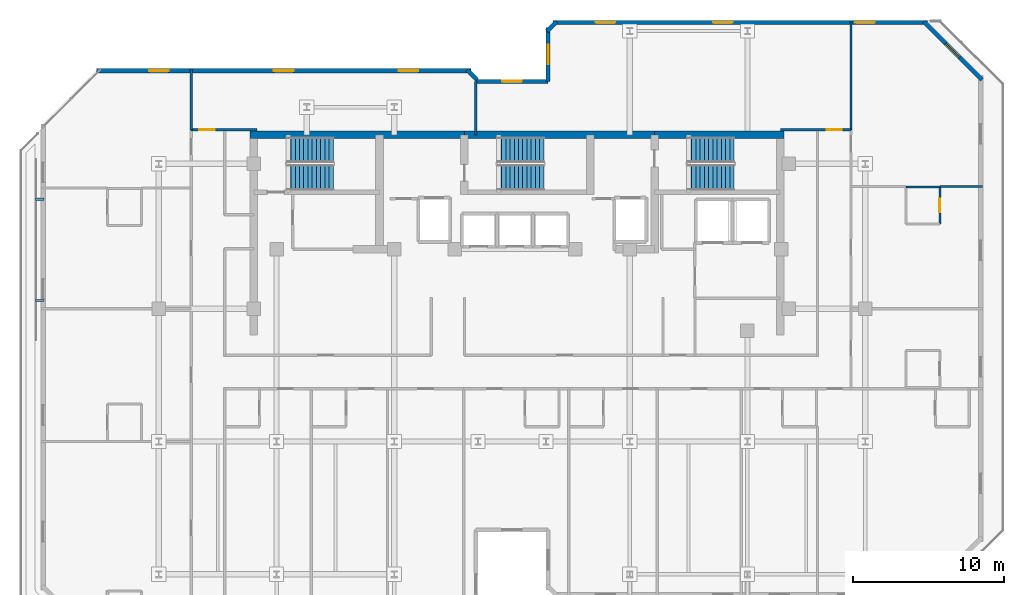
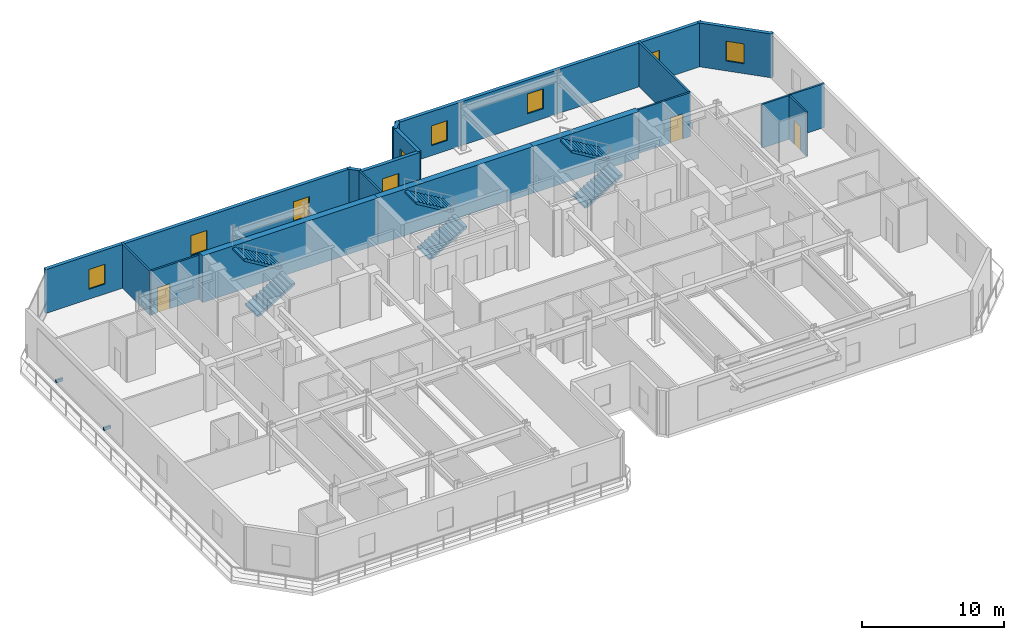
# One storey, part 8 of 13: 18 walls, 9 windows, 6 stair flights, 3 doors, 2 discrete accessories, 12 openings, 3 elements without a shape of their own.
"""IFC4 building model written with IfcOpenShell, lengths in metres."""

from ifc_helpers import new_model, si_unit, direction, frame, frame_2d, origin, origin_2d, place, context, subcontext, project, spatial, polyline, rectangle, outline, extrude, material, layer, layer_set, type_object, element, fill, aggregate, save


model = new_model("IFC4")

# Units and contexts
model_context = context("Model", 3, precision=1e-05, world=origin(), true_north=direction((0.0, 1.0)))
body_context = subcontext(model_context, "Body", "Model", "MODEL_VIEW")
ifc_project = project(units=[si_unit("LENGTHUNIT", "METRE"), si_unit("AREAUNIT", "SQUARE_METRE"), si_unit("VOLUMEUNIT", "CUBIC_METRE"), si_unit("PLANEANGLEUNIT", "RADIAN"), si_unit("MASSUNIT", "GRAM", prefix="KILO")], contexts=[model_context])

# Site, building, storey
site_placement = place(None, origin())
site = spatial("IfcSite", under=ifc_project, at=site_placement, CompositionType="ELEMENT")
building_placement = place(site_placement, origin())
building = spatial("IfcBuilding", under=site, at=building_placement, Name="Kestravale Grand Hotel", CompositionType="ELEMENT")
storey_placement = place(building_placement, frame((0.0, 0.0, 245.39990234375)))
storey = spatial("IfcBuildingStorey", under=building, at=storey_placement, Name="L61", CompositionType="ELEMENT", Elevation=245.39990234375)

# Walls
ifc_material_1 = material(Name="Concrete f'c 50 MPa", Category="concrete")
ifc_layer_1 = layer(ifc_material_1, 0.5)
ifc_layer_set_1 = layer_set([ifc_layer_1], Name="EW-CORE-500")
wall_type_1 = type_object("IfcWallType", Name="EW-CORE-500", PredefinedType="SHEAR", material=ifc_layer_set_1)
wall_1_placement = place(storey_placement, frame((21.64990234375, 40.320068359375, 0.0), z_axis=(0.0, 0.0, 1.0), x_axis=(1.0, 0.0, 0.0)))
element("IfcWall", 1, at=wall_1_placement, inside=storey, type_object=wall_type_1, Name="L61 core shear wall N1", PredefinedType="SHEAR", context=body_context, shape_type="SweptSolid", body=[
    extrude(rectangle(XDim=14.2001953125, YDim=0.5, at=frame_2d((7.10009765625, 0.0))), origin(), (0.0, 0.0, 1.0), 4.0),
])
wall_2_placement = place(storey_placement, frame((35.85009765625, 40.320068359375, 0.0), z_axis=(0.0, 0.0, 1.0), x_axis=(1.0, 0.0, 0.0)))
element("IfcWall", 2, at=wall_2_placement, inside=storey, type_object=wall_type_1, Name="L61 core shear wall N2", PredefinedType="SHEAR", context=body_context, shape_type="SweptSolid", body=[
    extrude(rectangle(XDim=12.599853515625, YDim=0.5, at=frame_2d((6.2998046875, 0.0))), origin(), (0.0, 0.0, 1.0), 4.0),
])
wall_3_placement = place(storey_placement, frame((48.449951171875, 40.320068359375, 0.0), z_axis=(0.0, 0.0, 1.0), x_axis=(1.0, 0.0, 0.0)))
element("IfcWall", 3, at=wall_3_placement, inside=storey, type_object=wall_type_1, Name="L61 core shear wall N3", PredefinedType="SHEAR", context=body_context, shape_type="SweptSolid", body=[
    extrude(rectangle(XDim=8.570068359375, YDim=0.5, at=frame_2d((4.28515625, 0.0))), origin(), (0.0, 0.0, 1.0), 4.0),
])

# Wall, opening, window
ifc_material_2 = material(Name="Precast concrete f'c 45 MPa", Category="concrete")
ifc_layer_2 = layer(ifc_material_2, 0.280029296875)
ifc_layer_set_2 = layer_set([ifc_layer_2], Name="EW-PREC-280")
wall_type_2 = type_object("IfcWallType", Name="EW-PREC-280", PredefinedType="SOLIDWALL", material=ifc_layer_set_2)
wall_4_placement = place(storey_placement, frame((70.12939453125, 43.97265625, 0.0), z_axis=(0.0, 0.0, 1.0), x_axis=(-0.707106781187, 0.707106781187, 0.0)))
wall_4 = element("IfcWall", 4, at=wall_4_placement, inside=storey, type_object=wall_type_2, Name="L61 fluted precast facade wall 10", PredefinedType="SOLIDWALL", context=body_context, shape_type="SweptSolid", body=[
    extrude(rectangle(XDim=5.4541015625, YDim=0.280029296875, at=frame_2d((2.72705078125, 0.0))), origin(), (0.0, 0.0, 1.0), 3.760009765625),
])
opening_1_placement = place(wall_4_placement, frame((2.076904296875, 0.0, 0.85009765625)))
opening_1 = element("IfcOpeningElement", 5, at=opening_1_placement, cuts=wall_4, Name="Opening W-GUEST-1300", PredefinedType="OPENING", context=body_context, shape_type="SweptSolid", body=[
    extrude(rectangle(XDim=1.300048828125, YDim=1.699951171875, at=frame_2d((0.64990234375, 0.85009765625))), frame((0.0, 0.14990234375, 0.0), z_axis=(0.0, -1.0, 0.0), x_axis=(1.0, 0.0, 0.0)), (0.0, 0.0, 1.0), 0.300048828125),
])
ifc_material_3 = material(Name="Insulated low-E double glazing in aluminium frame", Category="aluminium")
window_type = type_object("IfcWindowType", Name="W-GUEST-1300", PartitioningType="SINGLE_PANEL", PredefinedType="WINDOW", material=ifc_material_3)
window_1_placement = place(opening_1_placement, origin())
window_1 = element("IfcWindow", 6, at=window_1_placement, inside=storey, type_object=window_type, Name="L61 exterior window 10.1", OverallHeight=1.699951171875, OverallWidth=1.300048828125, PartitioningType="SINGLE_PANEL", PredefinedType="WINDOW", context=body_context, shape_type="SweptSolid", body=[
    extrude(rectangle(XDim=1.300048828125, YDim=1.699951171875, at=frame_2d((0.64990234375, 0.85009765625))), frame((0.0, 0.030029296875, 0.0), z_axis=(0.0, -1.0, 0.0), x_axis=(1.0, 0.0, 0.0)), (0.0, 0.0, 1.0), 0.06005859375),
])
fill(opening_1, window_1)

# Wall, openings, windows
wall_5_placement = place(storey_placement, frame((66.5400390625, 47.760009765625, 0.0), z_axis=(0.0, 0.0, 1.0), x_axis=(-1.0, 0.0, 0.0)))
wall_5 = element("IfcWall", 7, at=wall_5_placement, inside=storey, type_object=wall_type_2, Name="L61 fluted precast facade wall 11", PredefinedType="SOLIDWALL", context=body_context, shape_type="SweptSolid", body=[
    extrude(rectangle(XDim=24.830078125, YDim=0.280029296875, at=frame_2d((12.4150390625, 0.0))), origin(), (0.0, 0.0, 1.0), 3.760009765625),
])
opening_2_placement = place(wall_5_placement, frame((3.48828125, 0.0, 0.85009765625)))
opening_2 = element("IfcOpeningElement", 8, at=opening_2_placement, cuts=wall_5, Name="Opening W-GUEST-1300", PredefinedType="OPENING", context=body_context, shape_type="SweptSolid", body=[
    extrude(rectangle(XDim=1.300048828125, YDim=1.699951171875, at=frame_2d((0.64990234375, 0.85009765625))), frame((0.0, 0.14990234375, 0.0), z_axis=(0.0, -1.0, 0.0), x_axis=(1.0, 0.0, 0.0)), (0.0, 0.0, 1.0), 0.300048828125),
])
opening_3_placement = place(wall_5_placement, frame((12.9150390625, 0.0, 0.85009765625)))
opening_3 = element("IfcOpeningElement", 9, at=opening_3_placement, cuts=wall_5, Name="Opening W-GUEST-1300", PredefinedType="OPENING", context=body_context, shape_type="SweptSolid", body=[
    extrude(rectangle(XDim=1.300048828125, YDim=1.699951171875, at=frame_2d((0.64990234375, 0.85009765625))), frame((0.0, 0.14990234375, 0.0), z_axis=(0.0, -1.0, 0.0), x_axis=(1.0, 0.0, 0.0)), (0.0, 0.0, 1.0), 0.300048828125),
])
opening_4_placement = place(wall_5_placement, frame((20.691650390625, 0.0, 0.85009765625)))
opening_4 = element("IfcOpeningElement", 10, at=opening_4_placement, cuts=wall_5, Name="Opening W-GUEST-1300", PredefinedType="OPENING", context=body_context, shape_type="SweptSolid", body=[
    extrude(rectangle(XDim=1.300048828125, YDim=1.699951171875, at=frame_2d((0.64990234375, 0.85009765625))), frame((0.0, 0.14990234375, 0.0), z_axis=(0.0, -1.0, 0.0), x_axis=(1.0, 0.0, 0.0)), (0.0, 0.0, 1.0), 0.300048828125),
])
window_2_placement = place(opening_2_placement, origin())
window_2 = element("IfcWindow", 11, at=window_2_placement, inside=storey, type_object=window_type, Name="L61 exterior window 11.1", OverallHeight=1.699951171875, OverallWidth=1.300048828125, PartitioningType="SINGLE_PANEL", PredefinedType="WINDOW", context=body_context, shape_type="SweptSolid", body=[
    extrude(rectangle(XDim=1.300048828125, YDim=1.699951171875, at=frame_2d((0.64990234375, 0.85009765625))), frame((0.0, 0.030029296875, 0.0), z_axis=(0.0, -1.0, 0.0), x_axis=(1.0, 0.0, 0.0)), (0.0, 0.0, 1.0), 0.06005859375),
])
fill(opening_2, window_2)
window_3_placement = place(opening_3_placement, origin())
window_3 = element("IfcWindow", 12, at=window_3_placement, inside=storey, type_object=window_type, Name="L61 exterior window 11.2", OverallHeight=1.699951171875, OverallWidth=1.300048828125, PartitioningType="SINGLE_PANEL", PredefinedType="WINDOW", context=body_context, shape_type="SweptSolid", body=[
    extrude(rectangle(XDim=1.300048828125, YDim=1.699951171875, at=frame_2d((0.64990234375, 0.85009765625))), frame((0.0, 0.030029296875, 0.0), z_axis=(0.0, -1.0, 0.0), x_axis=(1.0, 0.0, 0.0)), (0.0, 0.0, 1.0), 0.06005859375),
])
fill(opening_3, window_3)
window_4_placement = place(opening_4_placement, origin())
window_4 = element("IfcWindow", 13, at=window_4_placement, inside=storey, type_object=window_type, Name="L61 exterior window 11.3", OverallHeight=1.699951171875, OverallWidth=1.300048828125, PartitioningType="SINGLE_PANEL", PredefinedType="WINDOW", context=body_context, shape_type="SweptSolid", body=[
    extrude(rectangle(XDim=1.300048828125, YDim=1.699951171875, at=frame_2d((0.64990234375, 0.85009765625))), frame((0.0, 0.030029296875, 0.0), z_axis=(0.0, -1.0, 0.0), x_axis=(1.0, 0.0, 0.0)), (0.0, 0.0, 1.0), 0.06005859375),
])
fill(opening_4, window_4)

# Wall
wall_6_placement = place(storey_placement, frame((41.977294921875, 47.829345703125, 0.0), z_axis=(0.0, 0.0, 1.0), x_axis=(-0.706975312048, -0.707238225886, 0.0)))
element("IfcWall", 14, at=wall_6_placement, inside=storey, type_object=wall_type_2, Name="L61 fluted precast facade wall 12", PredefinedType="SOLIDWALL", context=body_context, shape_type="SweptSolid", body=[
    extrude(rectangle(XDim=0.9287109375, YDim=0.280029296875, at=frame_2d((0.46435546875, 0.0))), origin(), (0.0, 0.0, 1.0), 3.760009765625),
])

# Wall, opening, window
wall_7_placement = place(storey_placement, frame((41.389892578125, 47.43994140625, 0.0), z_axis=(0.0, 0.0, 1.0), x_axis=(0.0, -1.0, 0.0)))
wall_7 = element("IfcWall", 15, at=wall_7_placement, inside=storey, type_object=wall_type_2, Name="L61 fluted precast facade wall 13", PredefinedType="SOLIDWALL", context=body_context, shape_type="SweptSolid", body=[
    extrude(rectangle(XDim=3.579833984375, YDim=0.280029296875, at=frame_2d((1.7900390625, 0.0))), origin(), (0.0, 0.0, 1.0), 3.760009765625),
])
opening_5_placement = place(wall_7_placement, frame((1.139892578125, 0.0, 0.85009765625)))
opening_5 = element("IfcOpeningElement", 16, at=opening_5_placement, cuts=wall_7, Name="Opening W-GUEST-1300", PredefinedType="OPENING", context=body_context, shape_type="SweptSolid", body=[
    extrude(rectangle(XDim=1.300048828125, YDim=1.699951171875, at=frame_2d((0.64990234375, 0.85009765625))), frame((0.0, 0.14990234375, 0.0), z_axis=(0.0, -1.0, 0.0), x_axis=(1.0, 0.0, 0.0)), (0.0, 0.0, 1.0), 0.300048828125),
])
window_5_placement = place(opening_5_placement, origin())
window_5 = element("IfcWindow", 17, at=window_5_placement, inside=storey, type_object=window_type, Name="L61 exterior window 13.1", OverallHeight=1.699951171875, OverallWidth=1.300048828125, PartitioningType="SINGLE_PANEL", PredefinedType="WINDOW", context=body_context, shape_type="SweptSolid", body=[
    extrude(rectangle(XDim=1.300048828125, YDim=1.699951171875, at=frame_2d((0.64990234375, 0.85009765625))), frame((0.0, 0.030029296875, 0.0), z_axis=(0.0, -1.0, 0.0), x_axis=(1.0, 0.0, 0.0)), (0.0, 0.0, 1.0), 0.06005859375),
])
fill(opening_5, window_5)

wall_8_placement = place(storey_placement, frame((41.389892578125, 43.860107421875, 0.0), z_axis=(0.0, 0.0, 1.0), x_axis=(-1.0, 0.0, 0.0)))
wall_8 = element("IfcWall", 18, at=wall_8_placement, inside=storey, type_object=wall_type_2, Name="L61 fluted precast facade wall 14", PredefinedType="SOLIDWALL", context=body_context, shape_type="SweptSolid", body=[
    extrude(rectangle(XDim=4.77978515625, YDim=0.280029296875, at=frame_2d((2.389892578125, 0.0))), origin(), (0.0, 0.0, 1.0), 3.760009765625),
])
opening_6_placement = place(wall_8_placement, frame((1.739990234375, 0.0, 0.85009765625)))
opening_6 = element("IfcOpeningElement", 19, at=opening_6_placement, cuts=wall_8, Name="Opening W-GUEST-1300", PredefinedType="OPENING", context=body_context, shape_type="SweptSolid", body=[
    extrude(rectangle(XDim=1.300048828125, YDim=1.699951171875, at=frame_2d((0.64990234375, 0.85009765625))), frame((0.0, 0.14990234375, 0.0), z_axis=(0.0, -1.0, 0.0), x_axis=(1.0, 0.0, 0.0)), (0.0, 0.0, 1.0), 0.300048828125),
])
window_6_placement = place(opening_6_placement, origin())
window_6 = element("IfcWindow", 20, at=window_6_placement, inside=storey, type_object=window_type, Name="L61 exterior window 14.1", OverallHeight=1.699951171875, OverallWidth=1.300048828125, PartitioningType="SINGLE_PANEL", PredefinedType="WINDOW", context=body_context, shape_type="SweptSolid", body=[
    extrude(rectangle(XDim=1.300048828125, YDim=1.699951171875, at=frame_2d((0.64990234375, 0.85009765625))), frame((0.0, 0.030029296875, 0.0), z_axis=(0.0, -1.0, 0.0), x_axis=(1.0, 0.0, 0.0)), (0.0, 0.0, 1.0), 0.06005859375),
])
fill(opening_6, window_6)

# Wall
wall_9_placement = place(storey_placement, frame((36.67919921875, 43.97265625, 0.0), z_axis=(0.0, 0.0, 1.0), x_axis=(-0.706975312048, 0.707238225886, 0.0)))
element("IfcWall", 21, at=wall_9_placement, inside=storey, type_object=wall_type_2, Name="L61 fluted precast facade wall 16", PredefinedType="SOLIDWALL", context=body_context, shape_type="SweptSolid", body=[
    extrude(rectangle(XDim=0.9287109375, YDim=0.280029296875, at=frame_2d((0.46435546875, 0.0))), origin(), (0.0, 0.0, 1.0), 3.760009765625),
])

# Wall, openings, windows
wall_10_placement = place(storey_placement, frame((36.2900390625, 44.56005859375, 0.0), z_axis=(0.0, 0.0, 1.0), x_axis=(-1.0, 0.0, 0.0)))
wall_10 = element("IfcWall", 22, at=wall_10_placement, inside=storey, type_object=wall_type_2, Name="L61 fluted precast facade wall 17", PredefinedType="SOLIDWALL", context=body_context, shape_type="SweptSolid", body=[
    extrude(rectangle(XDim=24.830078125, YDim=0.280029296875, at=frame_2d((12.4150390625, 0.0))), origin(), (0.0, 0.0, 1.0), 3.760009765625),
])
opening_7_placement = place(wall_10_placement, frame((3.48828125, 0.0, 0.85009765625)))
opening_7 = element("IfcOpeningElement", 23, at=opening_7_placement, cuts=wall_10, Name="Opening W-GUEST-1300", PredefinedType="OPENING", context=body_context, shape_type="SweptSolid", body=[
    extrude(rectangle(XDim=1.300048828125, YDim=1.699951171875, at=frame_2d((0.64990234375, 0.85009765625))), frame((0.0, 0.14990234375, 0.0), z_axis=(0.0, -1.0, 0.0), x_axis=(1.0, 0.0, 0.0)), (0.0, 0.0, 1.0), 0.300048828125),
])
opening_8_placement = place(wall_10_placement, frame((11.764892578125, 0.0, 0.85009765625)))
opening_8 = element("IfcOpeningElement", 24, at=opening_8_placement, cuts=wall_10, Name="Opening W-GUEST-1300", PredefinedType="OPENING", context=body_context, shape_type="SweptSolid", body=[
    extrude(rectangle(XDim=1.300048828125, YDim=1.699951171875, at=frame_2d((0.64990234375, 0.85009765625))), frame((0.0, 0.14990234375, 0.0), z_axis=(0.0, -1.0, 0.0), x_axis=(1.0, 0.0, 0.0)), (0.0, 0.0, 1.0), 0.300048828125),
])
opening_9_placement = place(wall_10_placement, frame((20.041748046875, 0.0, 0.85009765625)))
opening_9 = element("IfcOpeningElement", 25, at=opening_9_placement, cuts=wall_10, Name="Opening W-GUEST-1300", PredefinedType="OPENING", context=body_context, shape_type="SweptSolid", body=[
    extrude(rectangle(XDim=1.300048828125, YDim=1.699951171875, at=frame_2d((0.64990234375, 0.85009765625))), frame((0.0, 0.14990234375, 0.0), z_axis=(0.0, -1.0, 0.0), x_axis=(1.0, 0.0, 0.0)), (0.0, 0.0, 1.0), 0.300048828125),
])
window_7_placement = place(opening_7_placement, origin())
window_7 = element("IfcWindow", 26, at=window_7_placement, inside=storey, type_object=window_type, Name="L61 exterior window 17.1", OverallHeight=1.699951171875, OverallWidth=1.300048828125, PartitioningType="SINGLE_PANEL", PredefinedType="WINDOW", context=body_context, shape_type="SweptSolid", body=[
    extrude(rectangle(XDim=1.300048828125, YDim=1.699951171875, at=frame_2d((0.64990234375, 0.85009765625))), frame((0.0, 0.030029296875, 0.0), z_axis=(0.0, -1.0, 0.0), x_axis=(1.0, 0.0, 0.0)), (0.0, 0.0, 1.0), 0.06005859375),
])
fill(opening_7, window_7)
window_8_placement = place(opening_8_placement, origin())
window_8 = element("IfcWindow", 27, at=window_8_placement, inside=storey, type_object=window_type, Name="L61 exterior window 17.2", OverallHeight=1.699951171875, OverallWidth=1.300048828125, PartitioningType="SINGLE_PANEL", PredefinedType="WINDOW", context=body_context, shape_type="SweptSolid", body=[
    extrude(rectangle(XDim=1.300048828125, YDim=1.699951171875, at=frame_2d((0.64990234375, 0.85009765625))), frame((0.0, 0.030029296875, 0.0), z_axis=(0.0, -1.0, 0.0), x_axis=(1.0, 0.0, 0.0)), (0.0, 0.0, 1.0), 0.06005859375),
])
fill(opening_8, window_8)
window_9_placement = place(opening_9_placement, origin())
window_9 = element("IfcWindow", 28, at=window_9_placement, inside=storey, type_object=window_type, Name="L61 exterior window 17.3", OverallHeight=1.699951171875, OverallWidth=1.300048828125, PartitioningType="SINGLE_PANEL", PredefinedType="WINDOW", context=body_context, shape_type="SweptSolid", body=[
    extrude(rectangle(XDim=1.300048828125, YDim=1.699951171875, at=frame_2d((0.64990234375, 0.85009765625))), frame((0.0, 0.030029296875, 0.0), z_axis=(0.0, -1.0, 0.0), x_axis=(1.0, 0.0, 0.0)), (0.0, 0.0, 1.0), 0.06005859375),
])
fill(opening_9, window_9)

# Wall, opening, door
ifc_material_4 = material(Name="Moisture-resistant tile-backer plumbing chase wall", Category="other")
ifc_layer_3 = layer(ifc_material_4, 0.139892578125)
ifc_layer_set_3 = layer_set([ifc_layer_3], Name="IW-PLB-140")
wall_type_3 = type_object("IfcWallType", Name="IW-PLB-140", PredefinedType="PLUMBINGWALL", material=ifc_layer_set_3)
wall_11_placement = place(storey_placement, frame((67.35009765625, 34.409912109375, 0.0), z_axis=(0.0, 0.0, 1.0), x_axis=(0.0, 1.0, 0.0)))
wall_11 = element("IfcWall", 29, at=wall_11_placement, inside=storey, type_object=wall_type_3, Name="W-L61-U11-BE", PredefinedType="PLUMBINGWALL", context=body_context, shape_type="SweptSolid", body=[
    extrude(rectangle(XDim=2.4501953125, YDim=0.139892578125, at=frame_2d((1.22509765625, 0.0))), origin(), (0.0, 0.0, 1.0), 3.760009765625),
])
opening_10_placement = place(wall_11_placement, frame((0.784912109375, 0.0, 0.0)))
opening_10 = element("IfcOpeningElement", 30, at=opening_10_placement, cuts=wall_11, Name="Opening D-BATH-880", PredefinedType="OPENING", context=body_context, shape_type="SweptSolid", body=[
    extrude(rectangle(XDim=0.8798828125, YDim=2.050048828125, at=frame_2d((0.43994140625, 1.02490234375))), frame((0.0, 0.079833984375, 0.0), z_axis=(0.0, -1.0, 0.0), x_axis=(1.0, 0.0, 0.0)), (0.0, 0.0, 1.0), 0.159912109375),
])
ifc_material_5 = material(Name="Moisture-sealed walnut en-suite bathroom door", Category="wood")
door_type_1 = type_object("IfcDoorType", Name="D-BATH-880", OperationType="NOTDEFINED", PredefinedType="DOOR", material=ifc_material_5)
door_1_placement = place(opening_10_placement, origin())
door_1 = element("IfcDoor", 31, at=door_1_placement, inside=storey, type_object=door_type_1, Name="D-L61-U11-BATH", OperationType="SINGLE_SWING_RIGHT", OverallHeight=2.050048828125, OverallWidth=0.8798828125, PredefinedType="DOOR", context=body_context, shape_type="SweptSolid", body=[
    extrude(rectangle(XDim=0.8798828125, YDim=2.050048828125, at=frame_2d((0.43994140625, 1.02490234375))), frame((0.0, 0.02490234375, 0.0), z_axis=(0.0, -1.0, 0.0), x_axis=(1.0, 0.0, 0.0)), (0.0, 0.0, 1.0), 0.050048828125),
])
fill(opening_10, door_1)

# Wall
wall_12_placement = place(storey_placement, frame((65.10009765625, 36.860107421875, 0.0), z_axis=(0.0, 0.0, 1.0), x_axis=(1.0, 0.0, 0.0)))
element("IfcWall", 32, at=wall_12_placement, inside=storey, type_object=wall_type_3, Name="W-L61-U11-BN", PredefinedType="PLUMBINGWALL", context=body_context, shape_type="SweptSolid", body=[
    extrude(rectangle(XDim=2.25, YDim=0.139892578125, at=frame_2d((1.125, 0.0))), origin(), (0.0, 0.0, 1.0), 3.760009765625),
])

# Wall, opening, door
ifc_material_6 = material(Name="Double-stud STC 52 acoustic demising partition", Category="other")
ifc_layer_4 = layer(ifc_material_6, 0.14990234375)
ifc_layer_set_4 = layer_set([ifc_layer_4], Name="IW-UNIT-150")
wall_type_4 = type_object("IfcWallType", Name="IW-UNIT-150", PredefinedType="PARTITIONING", material=ifc_layer_set_4)
wall_13_placement = place(storey_placement, frame((17.739990234375, 40.64990234375, 0.0), z_axis=(0.0, 0.0, 1.0), x_axis=(1.0, 0.0, 0.0)))
wall_13 = element("IfcWall", 33, at=wall_13_placement, inside=storey, type_object=wall_type_4, Name="W-L61-SW-N", PredefinedType="PARTITIONING", context=body_context, shape_type="SweptSolid", body=[
    extrude(rectangle(XDim=4.360107421875, YDim=0.14990234375, at=frame_2d((2.18017578125, 0.0))), origin(), (0.0, 0.0, 1.0), 3.760009765625),
])
opening_11_placement = place(wall_13_placement, frame((0.550048828125, 0.0, 0.0)))
opening_11 = element("IfcOpeningElement", 34, at=opening_11_placement, cuts=wall_13, Name="Opening D-GUEST-1000", PredefinedType="OPENING", context=body_context, shape_type="SweptSolid", body=[
    extrude(rectangle(XDim=1.0, YDim=2.14990234375, at=frame_2d((0.5, 1.074951171875))), frame((0.0, 0.0849609375, 0.0), z_axis=(0.0, -1.0, 0.0), x_axis=(1.0, 0.0, 0.0)), (0.0, 0.0, 1.0), 0.169921875),
])
ifc_material_7 = material(Name="Accessible walnut veneer hotel entrance fire door", Category="wood")
door_type_2 = type_object("IfcDoorType", Name="D-GUEST-1000", OperationType="NOTDEFINED", PredefinedType="DOOR", material=ifc_material_7)
door_2_placement = place(opening_11_placement, origin())
door_2 = element("IfcDoor", 35, at=door_2_placement, inside=storey, type_object=door_type_2, Name="L61 NW Gallery Door", OperationType="SINGLE_SWING_RIGHT", OverallHeight=2.14990234375, OverallWidth=1.0, PredefinedType="DOOR", context=body_context, shape_type="SweptSolid", body=[
    extrude(rectangle(XDim=1.0, YDim=2.14990234375, at=frame_2d((0.5, 1.074951171875))), frame((0.0, 0.02490234375, 0.0), z_axis=(0.0, -1.0, 0.0), x_axis=(1.0, 0.0, 0.0)), (0.0, 0.0, 1.0), 0.050048828125),
])
fill(opening_11, door_2)

wall_14_placement = place(storey_placement, frame((56.800048828125, 40.64990234375, 0.0), z_axis=(0.0, 0.0, 1.0), x_axis=(1.0, 0.0, 0.0)))
wall_14 = element("IfcWall", 36, at=wall_14_placement, inside=storey, type_object=wall_type_4, Name="W-L61-SE-N", PredefinedType="PARTITIONING", context=body_context, shape_type="SweptSolid", body=[
    extrude(rectangle(XDim=4.659912109375, YDim=0.14990234375, at=frame_2d((2.330078125, 0.0))), origin(), (0.0, 0.0, 1.0), 3.760009765625),
])
opening_12_placement = place(wall_14_placement, frame((3.050048828125, 0.0, 0.0)))
opening_12 = element("IfcOpeningElement", 37, at=opening_12_placement, cuts=wall_14, Name="Opening D-GUEST-1000", PredefinedType="OPENING", context=body_context, shape_type="SweptSolid", body=[
    extrude(rectangle(XDim=1.0, YDim=2.14990234375, at=frame_2d((0.5, 1.074951171875))), frame((0.0, 0.0849609375, 0.0), z_axis=(0.0, -1.0, 0.0), x_axis=(1.0, 0.0, 0.0)), (0.0, 0.0, 1.0), 0.169921875),
])
door_3_placement = place(opening_12_placement, origin())
door_3 = element("IfcDoor", 38, at=door_3_placement, inside=storey, type_object=door_type_2, Name="L61 NE Gallery Door", OperationType="SINGLE_SWING_LEFT", OverallHeight=2.14990234375, OverallWidth=1.0, PredefinedType="DOOR", context=body_context, shape_type="SweptSolid", body=[
    extrude(rectangle(XDim=1.0, YDim=2.14990234375, at=frame_2d((0.5, 1.074951171875))), frame((0.0, 0.02490234375, 0.0), z_axis=(0.0, -1.0, 0.0), x_axis=(1.0, 0.0, 0.0)), (0.0, 0.0, 1.0), 0.050048828125),
])
fill(opening_12, door_3)

# Walls
wall_15_placement = place(storey_placement, frame((17.739990234375, 40.64990234375, 0.0), z_axis=(0.0, 0.0, 1.0), x_axis=(0.0, 1.0, 0.0)))
element("IfcWall", 39, at=wall_15_placement, inside=storey, type_object=wall_type_4, Name="W-L61-NGW-W", PredefinedType="PARTITIONING", context=body_context, shape_type="SweptSolid", body=[
    extrude(rectangle(XDim=4.030029296875, YDim=0.14990234375, at=frame_2d((2.01513671875, 0.0))), origin(), (0.0, 0.0, 1.0), 3.760009765625),
])
wall_16_placement = place(storey_placement, frame((36.60009765625, 40.320068359375, 0.0), z_axis=(0.0, 0.0, 1.0), x_axis=(0.0, 1.0, 0.0)))
element("IfcWall", 40, at=wall_16_placement, inside=storey, type_object=wall_type_4, Name="W-L61-NGM", PredefinedType="PARTITIONING", context=body_context, shape_type="SweptSolid", body=[
    extrude(rectangle(XDim=3.544921875, YDim=0.14990234375, at=frame_2d((1.7724609375, 0.0))), origin(), (0.0, 0.0, 1.0), 3.760009765625),
])
wall_17_placement = place(storey_placement, frame((61.4599609375, 40.64990234375, 0.0), z_axis=(0.0, 0.0, 1.0), x_axis=(0.0, 1.0, 0.0)))
element("IfcWall", 41, at=wall_17_placement, inside=storey, type_object=wall_type_4, Name="W-L61-NGE-E", PredefinedType="PARTITIONING", context=body_context, shape_type="SweptSolid", body=[
    extrude(rectangle(XDim=7.22998046875, YDim=0.14990234375, at=frame_2d((3.614990234375, 0.0))), origin(), (0.0, 0.0, 1.0), 3.760009765625),
])
wall_18_placement = place(storey_placement, frame((67.35009765625, 36.89990234375, 0.0), z_axis=(0.0, 0.0, 1.0), x_axis=(1.0, 0.0, 0.0)))
element("IfcWall", 42, at=wall_18_placement, inside=storey, type_object=wall_type_4, Name="W-L61-EW-2", PredefinedType="PARTITIONING", context=body_context, shape_type="SweptSolid", body=[
    extrude(rectangle(XDim=2.829833984375, YDim=0.14990234375, at=frame_2d((1.4150390625, 0.0))), origin(), (0.0, 0.0, 1.0), 3.760009765625),
])

# Stair, stair flights
ifc_material_8 = material(Name="Concrete f'c 45 MPa", Category="concrete")
stair_type = type_object("IfcStairType", Name="ST-CORE-400", PredefinedType="HALF_TURN_STAIR", material=ifc_material_8)
stair_1_placement = place(storey_placement, origin())
stair_1 = element("IfcStair", 43, at=stair_1_placement, inside=storey, type_object=stair_type, Name="L61 ST-1", PredefinedType="HALF_TURN_STAIR")
ifc_material_9 = material(Name="Concrete f'c 45 MPa", Category="concrete")
stair_flight_type = type_object("IfcStairFlightType", Name="STF-CORE-400", PredefinedType="STRAIGHT", material=ifc_material_9)
stair_flight_1_placement = place(storey_placement, frame((24.080078125, 37.489990234375, 0.0), z_axis=(0.0, 0.0, 1.0), x_axis=(1.0, 0.0, 0.0)))
stair_flight_1 = element("IfcStairFlight", 44, at=stair_flight_1_placement, type_object=stair_flight_type, Name="ST-1 flight 1", NumberOfRisers=12, NumberOfTreads=11, PredefinedType="STRAIGHT", RiserHeight=0.166666667, TreadLength=0.28, context=body_context, shape_type="SweptSolid", body=[
    extrude(outline(polyline([(0.0, 0.0), (0.0, 0.166748046875), (0.280029296875, 0.166748046875), (0.280029296875, 0.333251953125), (0.56005859375, 0.333251953125), (0.56005859375, 0.5), (0.840087890625, 0.5), (0.840087890625, 0.666748046875), (1.1201171875, 0.666748046875), (1.1201171875, 0.833251953125), (1.39990234375, 0.833251953125), (1.39990234375, 1.0), (1.679931640625, 1.0), (1.679931640625, 1.166748046875), (1.9599609375, 1.166748046875), (1.9599609375, 1.333251953125), (2.239990234375, 1.333251953125), (2.239990234375, 1.5), (2.52001953125, 1.5), (2.52001953125, 1.666748046875), (2.800048828125, 1.666748046875), (2.800048828125, 1.833251953125), (3.080078125, 1.833251953125), (3.080078125, 2.0), (3.080078125, 1.658935546875), (0.29296875, 0.0), (0.0, 0.0)])), frame((0.0, 0.83984375, 0.0), z_axis=(0.0, -1.0, 0.0), x_axis=(1.0, 0.0, 0.0)), (0.0, 0.0, 1.0), 1.679931640625),
])
stair_flight_2_placement = place(storey_placement, frame((27.159912109375, 39.320068359375, 2.0), z_axis=(0.0, 0.0, 1.0), x_axis=(-1.0, 0.0, 0.0)))
stair_flight_2 = element("IfcStairFlight", 45, at=stair_flight_2_placement, type_object=stair_flight_type, Name="ST-1 flight 2", NumberOfRisers=12, NumberOfTreads=11, PredefinedType="STRAIGHT", RiserHeight=0.166666667, TreadLength=0.28, context=body_context, shape_type="SweptSolid", body=[
    extrude(outline(polyline([(0.0, 0.0), (0.0, 0.166748046875), (0.280029296875, 0.166748046875), (0.280029296875, 0.333251953125), (0.56005859375, 0.333251953125), (0.56005859375, 0.5), (0.840087890625, 0.5), (0.840087890625, 0.666748046875), (1.1201171875, 0.666748046875), (1.1201171875, 0.833251953125), (1.39990234375, 0.833251953125), (1.39990234375, 1.0), (1.679931640625, 1.0), (1.679931640625, 1.166748046875), (1.9599609375, 1.166748046875), (1.9599609375, 1.333251953125), (2.239990234375, 1.333251953125), (2.239990234375, 1.5), (2.52001953125, 1.5), (2.52001953125, 1.666748046875), (2.800048828125, 1.666748046875), (2.800048828125, 1.833251953125), (3.080078125, 1.833251953125), (3.080078125, 2.0), (3.080078125, 1.658935546875), (0.29296875, 0.0), (0.0, 0.0)])), frame((0.0, 0.83984375, 0.0), z_axis=(0.0, -1.0, 0.0), x_axis=(1.0, 0.0, 0.0)), (0.0, 0.0, 1.0), 1.679931640625),
])
aggregate(stair_1, [stair_flight_1, stair_flight_2])

stair_2_placement = place(storey_placement, origin())
stair_2 = element("IfcStair", 46, at=stair_2_placement, inside=storey, type_object=stair_type, Name="L61 ST-2", PredefinedType="HALF_TURN_STAIR")
stair_flight_3_placement = place(storey_placement, frame((38.030029296875, 37.489990234375, 0.0), z_axis=(0.0, 0.0, 1.0), x_axis=(1.0, 0.0, 0.0)))
stair_flight_3 = element("IfcStairFlight", 47, at=stair_flight_3_placement, type_object=stair_flight_type, Name="ST-2 flight 1", NumberOfRisers=12, NumberOfTreads=11, PredefinedType="STRAIGHT", RiserHeight=0.166666667, TreadLength=0.28, context=body_context, shape_type="SweptSolid", body=[
    extrude(outline(polyline([(0.0, 0.0), (0.0, 0.166748046875), (0.280029296875, 0.166748046875), (0.280029296875, 0.333251953125), (0.56005859375, 0.333251953125), (0.56005859375, 0.5), (0.840087890625, 0.5), (0.840087890625, 0.666748046875), (1.1201171875, 0.666748046875), (1.1201171875, 0.833251953125), (1.39990234375, 0.833251953125), (1.39990234375, 1.0), (1.679931640625, 1.0), (1.679931640625, 1.166748046875), (1.9599609375, 1.166748046875), (1.9599609375, 1.333251953125), (2.239990234375, 1.333251953125), (2.239990234375, 1.5), (2.52001953125, 1.5), (2.52001953125, 1.666748046875), (2.800048828125, 1.666748046875), (2.800048828125, 1.833251953125), (3.080078125, 1.833251953125), (3.080078125, 2.0), (3.080078125, 1.658935546875), (0.29296875, 0.0), (0.0, 0.0)])), frame((0.0, 0.83984375, 0.0), z_axis=(0.0, -1.0, 0.0), x_axis=(1.0, 0.0, 0.0)), (0.0, 0.0, 1.0), 1.679931640625),
])
stair_flight_4_placement = place(storey_placement, frame((41.110107421875, 39.320068359375, 2.0), z_axis=(0.0, 0.0, 1.0), x_axis=(-1.0, 0.0, 0.0)))
stair_flight_4 = element("IfcStairFlight", 48, at=stair_flight_4_placement, type_object=stair_flight_type, Name="ST-2 flight 2", NumberOfRisers=12, NumberOfTreads=11, PredefinedType="STRAIGHT", RiserHeight=0.166666667, TreadLength=0.28, context=body_context, shape_type="SweptSolid", body=[
    extrude(outline(polyline([(0.0, 0.0), (0.0, 0.166748046875), (0.280029296875, 0.166748046875), (0.280029296875, 0.333251953125), (0.56005859375, 0.333251953125), (0.56005859375, 0.5), (0.840087890625, 0.5), (0.840087890625, 0.666748046875), (1.1201171875, 0.666748046875), (1.1201171875, 0.833251953125), (1.39990234375, 0.833251953125), (1.39990234375, 1.0), (1.679931640625, 1.0), (1.679931640625, 1.166748046875), (1.9599609375, 1.166748046875), (1.9599609375, 1.333251953125), (2.239990234375, 1.333251953125), (2.239990234375, 1.5), (2.52001953125, 1.5), (2.52001953125, 1.666748046875), (2.800048828125, 1.666748046875), (2.800048828125, 1.833251953125), (3.080078125, 1.833251953125), (3.080078125, 2.0), (3.080078125, 1.658935546875), (0.29296875, 0.0), (0.0, 0.0)])), frame((0.0, 0.83984375, 0.0), z_axis=(0.0, -1.0, 0.0), x_axis=(1.0, 0.0, 0.0)), (0.0, 0.0, 1.0), 1.679931640625),
])
aggregate(stair_2, [stair_flight_3, stair_flight_4])

stair_3_placement = place(storey_placement, origin())
stair_3 = element("IfcStair", 49, at=stair_3_placement, inside=storey, type_object=stair_type, Name="L61 ST-3", PredefinedType="HALF_TURN_STAIR")
stair_flight_5_placement = place(storey_placement, frame((50.6298828125, 37.489990234375, 0.0), z_axis=(0.0, 0.0, 1.0), x_axis=(1.0, 0.0, 0.0)))
stair_flight_5 = element("IfcStairFlight", 50, at=stair_flight_5_placement, type_object=stair_flight_type, Name="ST-3 flight 1", NumberOfRisers=12, NumberOfTreads=11, PredefinedType="STRAIGHT", RiserHeight=0.166666667, TreadLength=0.28, context=body_context, shape_type="SweptSolid", body=[
    extrude(outline(polyline([(0.0, 0.0), (0.0, 0.166748046875), (0.280029296875, 0.166748046875), (0.280029296875, 0.333251953125), (0.56005859375, 0.333251953125), (0.56005859375, 0.5), (0.840087890625, 0.5), (0.840087890625, 0.666748046875), (1.1201171875, 0.666748046875), (1.1201171875, 0.833251953125), (1.39990234375, 0.833251953125), (1.39990234375, 1.0), (1.679931640625, 1.0), (1.679931640625, 1.166748046875), (1.9599609375, 1.166748046875), (1.9599609375, 1.333251953125), (2.239990234375, 1.333251953125), (2.239990234375, 1.5), (2.52001953125, 1.5), (2.52001953125, 1.666748046875), (2.800048828125, 1.666748046875), (2.800048828125, 1.833251953125), (3.080078125, 1.833251953125), (3.080078125, 2.0), (3.080078125, 1.658935546875), (0.29296875, 0.0), (0.0, 0.0)])), frame((0.0, 0.83984375, 0.0), z_axis=(0.0, -1.0, 0.0), x_axis=(1.0, 0.0, 0.0)), (0.0, 0.0, 1.0), 1.679931640625),
])
stair_flight_6_placement = place(storey_placement, frame((53.7099609375, 39.320068359375, 2.0), z_axis=(0.0, 0.0, 1.0), x_axis=(-1.0, 0.0, 0.0)))
stair_flight_6 = element("IfcStairFlight", 51, at=stair_flight_6_placement, type_object=stair_flight_type, Name="ST-3 flight 2", NumberOfRisers=12, NumberOfTreads=11, PredefinedType="STRAIGHT", RiserHeight=0.166666667, TreadLength=0.28, context=body_context, shape_type="SweptSolid", body=[
    extrude(outline(polyline([(0.0, 0.0), (0.0, 0.166748046875), (0.280029296875, 0.166748046875), (0.280029296875, 0.333251953125), (0.56005859375, 0.333251953125), (0.56005859375, 0.5), (0.840087890625, 0.5), (0.840087890625, 0.666748046875), (1.1201171875, 0.666748046875), (1.1201171875, 0.833251953125), (1.39990234375, 0.833251953125), (1.39990234375, 1.0), (1.679931640625, 1.0), (1.679931640625, 1.166748046875), (1.9599609375, 1.166748046875), (1.9599609375, 1.333251953125), (2.239990234375, 1.333251953125), (2.239990234375, 1.5), (2.52001953125, 1.5), (2.52001953125, 1.666748046875), (2.800048828125, 1.666748046875), (2.800048828125, 1.833251953125), (3.080078125, 1.833251953125), (3.080078125, 2.0), (3.080078125, 1.658935546875), (0.29296875, 0.0), (0.0, 0.0)])), frame((0.0, 0.83984375, 0.0), z_axis=(0.0, -1.0, 0.0), x_axis=(1.0, 0.0, 0.0)), (0.0, 0.0, 1.0), 1.679931640625),
])
aggregate(stair_3, [stair_flight_5, stair_flight_6])

# Discrete accessories
ifc_material_10 = material(Name="Steel ASTM A572 Grade 50 hot-dip galvanised bracket", Category="steel")
discrete_accessory_type = type_object("IfcDiscreteAccessoryType", Name="ACC-BRK-STL", PredefinedType="BRACKET", material=ifc_material_10)
for number, where, z_axis, x_axis, name in (
    (52, (7.705078125, 36.06005859375, 0.56005859375), (0.0, 0.0, 1.0), (0.0, -1.0, 0.0), "L61 solar screen standoff bracket 1"),
    (53, (7.705078125, 29.340087890625, 0.56005859375), (0.0, 0.0, 1.0), (0.0, -1.0, 0.0), "L61 solar screen standoff bracket 2"),
):
    element("IfcDiscreteAccessory", number, at=place(storey_placement, frame(where, z_axis=z_axis, x_axis=x_axis)), inside=storey, type_object=discrete_accessory_type, Name=name, PredefinedType="BRACKET", context=body_context, shape_type="SweptSolid", body=[
        extrude(rectangle(XDim=0.159912109375, YDim=0.56005859375, at=origin_2d()), origin(), (0.0, 0.0, 1.0), 0.239990234375),
    ])

save(model, "model.ifc")
